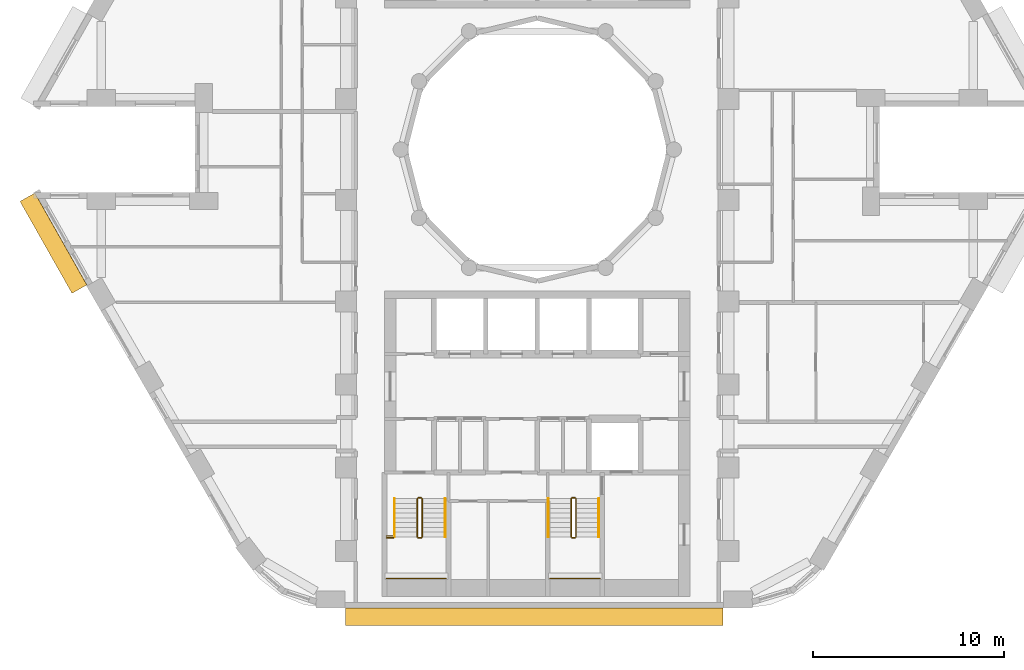
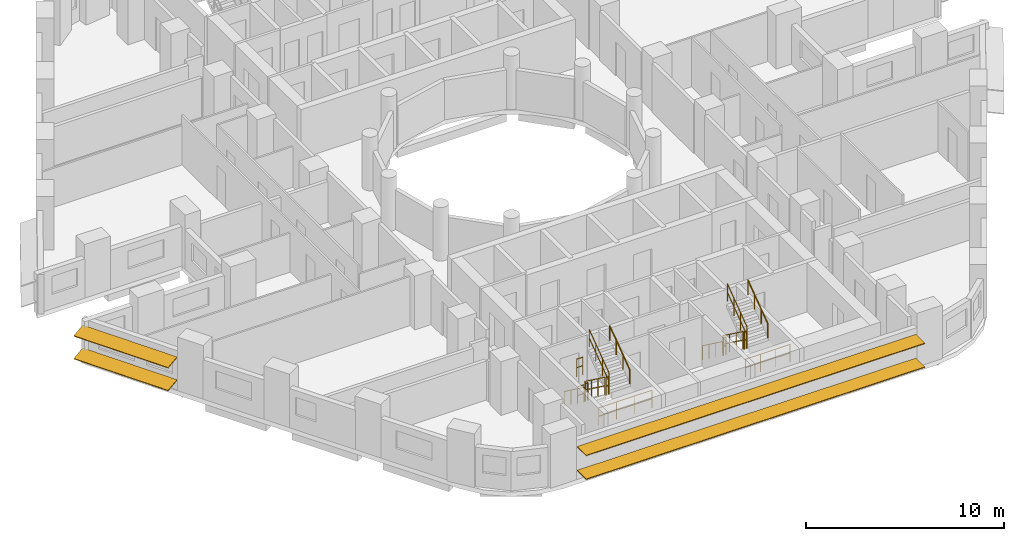
# One storey, part 10 of 12: 16 railings, 4 shading devices.
"""IFC4 building model written with IfcOpenShell, lengths in metres."""

import ifcopenshell
import ifcopenshell.guid

model = None  # the IFC model being written
_history = None  # IfcOwnerHistory: only IFC2X3 demands one
_inside = {}  # id of a spatial element -> (the spatial element, [elements in it])
_under = {}  # id of a project, library or spatial element -> (it, [spatial elements below it])
_declared = {}  # id of a project -> (the project, [libraries it declares])
_typed = {}  # id of a type object -> (the type object, [elements of that type])
_made_of = {}  # id of a material, layer set ... -> (it, [elements and type objects made of it])


def new_model(schema):
    """Start an empty IFC model of exactly this schema.

    Asked for "IFC4X3", IfcOpenShell would pick the latest addendum, in which some entities
    have other attributes; the version numbers below select the first issue.
    IFC2X3 requires an IfcOwnerHistory on every rooted entity: one is made here for all.
    """
    global model, _history
    if schema == "IFC4X3":
        model = ifcopenshell.file(schema_version=(4, 3, 0, 0))
    else:
        model = ifcopenshell.file(schema=schema)
    _inside.clear()
    _under.clear()
    _declared.clear()
    _typed.clear()
    _made_of.clear()
    _history = None
    if model.schema == "IFC2X3":
        org = make("IfcOrganization", Name="unknown")
        user = make(
            "IfcPersonAndOrganization",
            ThePerson=make("IfcPerson", FamilyName="unknown"),
            TheOrganization=org,
        )
        app = make(
            "IfcApplication",
            ApplicationDeveloper=org,
            Version="unknown",
            ApplicationFullName="unknown",
            ApplicationIdentifier="unknown",
        )
        _history = make(
            "IfcOwnerHistory",
            OwningUser=user,
            OwningApplication=app,
            ChangeAction="ADDED",
            CreationDate=0,
        )
    return model


def make(cls, **values):
    """One entity of the class cls with the attributes given. An attribute that is None is left unset."""
    return model.create_entity(
        cls, **{name: value for name, value in values.items() if value is not None}
    )


def rooted(cls, **values):
    """An entity with a GlobalId (a new one), such as an element, a storey or a relation."""
    return make(cls, GlobalId=ifcopenshell.guid.new(), OwnerHistory=_history, **values)


def si_unit(unit_type, name, prefix=None):
    """IfcSIUnit, for example si_unit("LENGTHUNIT", "METRE", prefix="MILLI")."""
    return make("IfcSIUnit", UnitType=unit_type, Prefix=prefix, Name=name)


def assignment(units):
    """IfcUnitAssignment: the units of a project."""
    return None if units is None else make("IfcUnitAssignment", Units=units)


def point(xyz):
    """IfcCartesianPoint."""
    return None if xyz is None else make("IfcCartesianPoint", Coordinates=xyz)


def direction(xyz):
    """IfcDirection."""
    return None if xyz is None else make("IfcDirection", DirectionRatios=xyz)


def frame(location, z_axis=None, x_axis=None):
    """IfcAxis2Placement3D, a coordinate frame: its origin and axes. An axis left out is left unset."""
    return make(
        "IfcAxis2Placement3D",
        Location=point(location),
        Axis=direction(z_axis),
        RefDirection=direction(x_axis),
    )


def frame_2d(location, x_axis=None):
    """IfcAxis2Placement2D, a coordinate frame in the plane: its origin and x axis."""
    return make(
        "IfcAxis2Placement2D", Location=point(location), RefDirection=direction(x_axis)
    )


def origin():
    """The frame at (0, 0, 0) with its axes left unset."""
    return frame((0.0, 0.0, 0.0))


def origin_2d():
    """The frame at (0, 0) in the plane with its x axis left unset."""
    return frame_2d((0.0, 0.0))


def place(relative_to, where):
    """IfcLocalPlacement: puts the frame where relative to a parent placement (None: the world)."""
    return make(
        "IfcLocalPlacement", PlacementRelTo=relative_to, RelativePlacement=where
    )


def context(
    kind, dimensions, precision=None, world=None, true_north=None, identifier=None
):
    """IfcGeometricRepresentationContext, for example the 3D "Model" context."""
    return make(
        "IfcGeometricRepresentationContext",
        ContextIdentifier=identifier,
        ContextType=kind,
        CoordinateSpaceDimension=dimensions,
        Precision=precision,
        WorldCoordinateSystem=world,
        TrueNorth=true_north,
    )


def subcontext(parent, identifier, kind, view, scale=None):
    """IfcGeometricRepresentationSubContext, for example "Body" below "Model"."""
    return make(
        "IfcGeometricRepresentationSubContext",
        ContextIdentifier=identifier,
        ContextType=kind,
        ParentContext=parent,
        TargetScale=scale,
        TargetView=view,
    )


def project(units=None, contexts=None):
    """IfcProject with its units and contexts."""
    return rooted(
        "IfcProject",
        Name="project",
        RepresentationContexts=contexts,
        UnitsInContext=assignment(units),
    )


def spatial(cls, under=None, at=None, **own):
    """A site, building, storey or space (cls), placed at a placement, below another one or the project."""
    s = rooted(cls, ObjectPlacement=at, **own)
    if under is not None:
        _under.setdefault(under.id(), (under, []))[1].append(s)
    return s


def profile(cls, at=None, kind="AREA", **sizes):
    """A parametric profile (cls). Its sizes go by their IFC names, for example OverallWidth=200.0."""
    return make(cls, ProfileType=kind, Position=at, **sizes)


def rectangle(**sizes):
    """IfcRectangleProfileDef."""
    return profile("IfcRectangleProfileDef", **sizes)


def circle(**sizes):
    """IfcCircleProfileDef."""
    return profile("IfcCircleProfileDef", **sizes)


def extrude(swept, where, along, depth):
    """IfcExtrudedAreaSolid: the profile swept, set in the frame where, extruded along a direction by depth."""
    return make(
        "IfcExtrudedAreaSolid",
        SweptArea=swept,
        Position=where,
        ExtrudedDirection=direction(along),
        Depth=depth,
    )


def shape(context_of_items, identifier, shape_type, items):
    """IfcShapeRepresentation: the items that make up one representation, for example the "Body"."""
    return make(
        "IfcShapeRepresentation",
        ContextOfItems=context_of_items,
        RepresentationIdentifier=identifier,
        RepresentationType=shape_type,
        Items=items,
    )


def material(Name=None, Category=None):
    """IfcMaterial."""
    return make("IfcMaterial", Name=Name, Category=Category)


def material_profile(
    of_material, cross_section, Name=None, Category=None, Priority=None
):
    """IfcMaterialProfile: a cross section and its material."""
    return make(
        "IfcMaterialProfile",
        Name=Name,
        Material=of_material,
        Profile=cross_section,
        Priority=Priority,
        Category=Category,
    )


def profile_set(profiles, Name=None, composite=None):
    """IfcMaterialProfileSet."""
    return make(
        "IfcMaterialProfileSet",
        Name=Name,
        MaterialProfiles=profiles,
        CompositeProfile=composite,
    )


def made_of(thing, what):
    """Note that an element or type object is made of a material, layer set ...; save() writes the relation."""
    if what is not None:
        _made_of.setdefault(what.id(), (what, []))[1].append(thing)
    return thing


def type_object(cls, material=None, **own):
    """A type object (cls), such as IfcWallType, which elements share."""
    return made_of(rooted(cls, **own), material)


def element(
    cls,
    number,
    at=None,
    inside=None,
    cuts=None,
    type_object=None,
    material=None,
    context=None,
    identifier="Body",
    shape_type=None,
    held_by="IfcProductDefinitionShape",
    body=None,
    shapes=None,
    **own,
):
    """One element of the class cls, such as IfcWall. Its Tag is "e" and its number.

    at: its placement. inside: the storey or other place that contains it. cuts: it is an
    opening in that element (IfcRelVoidsElement). A single representation is given by context,
    identifier, shape_type and body (its items); several are given by shapes. held_by: the class
    of the entity that holds the representations. save() writes the other relations.
    """
    e = rooted(cls, Tag="e%d" % number, ObjectPlacement=at, **own)
    if body is not None:
        shapes = [shape(context, identifier, shape_type, body)]
    if shapes is not None:
        e.Representation = make(held_by, Representations=shapes)
    if inside is not None:
        _inside.setdefault(inside.id(), (inside, []))[1].append(e)
    if cuts is not None:
        rooted(
            "IfcRelVoidsElement", RelatingBuildingElement=cuts, RelatedOpeningElement=e
        )
    if type_object is not None:
        _typed.setdefault(type_object.id(), (type_object, []))[1].append(e)
    return made_of(e, material)


def aggregate(whole, parts):
    """IfcRelAggregates: a whole, such as a stair, and the parts it consists of."""
    return rooted("IfcRelAggregates", RelatingObject=whole, RelatedObjects=parts)


def save(model, path):
    """Write the relations noted so far, then the file.

    IfcRelAggregates (storeys below a building ...), IfcRelContainedInSpatialStructure (elements
    in a storey), IfcRelDefinesByType, IfcRelAssociatesMaterial and IfcRelDeclares: one each for
    every whole, place, type object, material and project.
    """
    for whole, parts in _under.values():
        aggregate(whole, parts)
    for where, things in _inside.values():
        rooted(
            "IfcRelContainedInSpatialStructure",
            RelatedElements=things,
            RelatingStructure=where,
        )
    for kind, things in _typed.values():
        rooted("IfcRelDefinesByType", RelatedObjects=things, RelatingType=kind)
    for what, things in _made_of.values():
        rooted("IfcRelAssociatesMaterial", RelatedObjects=things, RelatingMaterial=what)
    for by, libraries in _declared.values():
        rooted("IfcRelDeclares", RelatingContext=by, RelatedDefinitions=libraries)
    model.write(path)


model = new_model("IFC4")

# Units and contexts
model_context = context("Model", 3, precision=1e-05, world=origin(), true_north=direction((0.0, 1.0)))
body_context = subcontext(model_context, "Body", "Model", "MODEL_VIEW")
ifc_project = project(units=[si_unit("LENGTHUNIT", "METRE"), si_unit("AREAUNIT", "SQUARE_METRE"), si_unit("VOLUMEUNIT", "CUBIC_METRE"), si_unit("PLANEANGLEUNIT", "RADIAN"), si_unit("MASSUNIT", "GRAM", prefix="KILO")], contexts=[model_context])

# Site, building, storey
site_placement = place(None, origin())
site = spatial("IfcSite", under=ifc_project, at=site_placement, CompositionType="ELEMENT")
building_placement = place(site_placement, origin())
building = spatial("IfcBuilding", under=site, at=building_placement, Name="Nakaniwa Court", CompositionType="ELEMENT")
storey_placement = place(building_placement, frame((0.0, 0.0, 54.60009765625)))
storey = spatial("IfcBuildingStorey", under=building, at=storey_placement, Name="L14", CompositionType="ELEMENT", Elevation=54.60009765625)

# Shading devices
ifc_material_1 = material(Name="Perforated charcoal ceramic louvre blade")
ifc_material_profile = material_profile(ifc_material_1, rectangle(XDim=0.89990234375, YDim=0.050048828125, at=origin_2d()), Name="Perforated ceramic louvre blade")
ifc_profile_set = profile_set([ifc_material_profile], Name="Perforated charcoal ceramic louvre blade")
shading_device_type = type_object("IfcShadingDeviceType", Name="Perforated ceramic louvre blade", PredefinedType="JALOUSIE", material=ifc_profile_set)
for number, where, z_axis, x_axis, name in (
    (1, (53.31689453125, 77.508056640625, 0.5498046875), (0.492342539441, -0.870401530247, 0.0), (0.86275552304, 0.488017576221, 0.132256390257), "L14 perforated ceramic louvre blade w20 1"),
    (2, (53.31689453125, 77.508056640625, 1.95556640625), (0.492342539441, -0.870401530247, 0.0), (0.86275552304, 0.488017576221, 0.132256390257), "L14 perforated ceramic louvre blade w20 2"),
):
    element("IfcShadingDevice", number, at=place(storey_placement, frame(where, z_axis=z_axis, x_axis=x_axis)), inside=storey, type_object=shading_device_type, Name=name, PredefinedType="JALOUSIE", context=body_context, shape_type="SweptSolid", body=[
        extrude(rectangle(XDim=0.89990234375, YDim=0.050048828125, at=origin_2d()), origin(), (0.0, 0.0, 1.0), 5.526611328125),
    ])
for number, where, z_axis, x_axis, name in (
    (3, (69.97119140625, 55.550048828125, 0.5498046875), (1.0, 0.0, 0.0), (0.0, 1.0, 0.0), "L14 perforated ceramic louvre blade w26 1"),
    (4, (69.97119140625, 55.550048828125, 2.014892578125), (1.0, 0.0, 0.0), (0.0, 1.0, 0.0), "L14 perforated ceramic louvre blade w26 2"),
):
    element("IfcShadingDevice", number, at=place(storey_placement, frame(where, z_axis=z_axis, x_axis=x_axis)), inside=storey, type_object=shading_device_type, Name=name, PredefinedType="JALOUSIE", context=body_context, shape_type="SweptSolid", body=[
        extrude(rectangle(XDim=0.89990234375, YDim=0.050048828125, at=origin_2d()), origin(), (0.0, 0.0, 1.0), 19.739990234375),
    ])

# Railings
ifc_material_2 = material(Name="Black powder coated steel guard", Category="steel")
railing_type_1 = type_object("IfcRailingType", Name="Stair guard 1100", PredefinedType="GUARDRAIL", material=ifc_material_2)
railing_1_placement = place(storey_placement, frame((73.72509765625, 61.72509765625, 0.183349609375)))
element("IfcRailing", 5, at=railing_1_placement, inside=storey, type_object=railing_type_1, Name="L14 ST3 stair guard 1", PredefinedType="GUARDRAIL", context=body_context, shape_type="SweptSolid", body=[
    extrude(circle(Radius=0.02392578125, at=origin_2d()), frame((0.0, 0.0, 1.076171875), z_axis=(0.0, -0.806426902644, 0.591333789573), x_axis=(1.0, 0.0, 0.0)), (0.0, 0.0, 1.0), 2.47998046875),
    extrude(circle(Radius=0.02392578125, at=origin_2d()), frame((0.0, 0.0, 0.550048828125), z_axis=(0.0, -0.806426902644, 0.591333789573), x_axis=(1.0, 0.0, 0.0)), (0.0, 0.0, 1.0), 2.47998046875),
    extrude(circle(Radius=0.02099609375, at=origin_2d()), origin(), (0.0, 0.0, 1.0), 1.052001953125),
    extrude(circle(Radius=0.02099609375, at=origin_2d()), frame((0.0, -0.666748046875, 0.48876953125)), (0.0, 0.0, 1.0), 1.052001953125),
    extrude(circle(Radius=0.02099609375, at=origin_2d()), frame((0.0, -1.333251953125, 0.977783203125)), (0.0, 0.0, 1.0), 1.052001953125),
    extrude(circle(Radius=0.02099609375, at=origin_2d()), frame((0.0, -2.0, 1.466552734375)), (0.0, 0.0, 1.0), 1.052001953125),
])
railing_2_placement = place(storey_placement, frame((73.77490234375, 59.675048828125, 1.64990234375)))
element("IfcRailing", 6, at=railing_2_placement, inside=storey, type_object=railing_type_1, Name="L14 ST3 stair guard 2", PredefinedType="GUARDRAIL", context=body_context, shape_type="SweptSolid", body=[
    extrude(circle(Radius=0.02392578125, at=origin_2d()), frame((0.0, 0.0, 1.076171875), z_axis=(1.0, 0.0, 0.0), x_axis=(0.0, 1.0, 0.0)), (0.0, 0.0, 1.0), 0.150146484375),
    extrude(circle(Radius=0.02392578125, at=origin_2d()), frame((0.0, 0.0, 0.550048828125), z_axis=(1.0, 0.0, 0.0), x_axis=(0.0, 1.0, 0.0)), (0.0, 0.0, 1.0), 0.150146484375),
    extrude(circle(Radius=0.02099609375, at=origin_2d()), origin(), (0.0, 0.0, 1.0), 1.052001953125),
    extrude(circle(Radius=0.02099609375, at=origin_2d()), frame((0.150146484375, 0.0, 0.0)), (0.0, 0.0, 1.0), 1.052001953125),
])
railing_3_placement = place(storey_placement, frame((73.97509765625, 59.72509765625, 1.833251953125)))
element("IfcRailing", 7, at=railing_3_placement, inside=storey, type_object=railing_type_1, Name="L14 ST3 stair guard 3", PredefinedType="GUARDRAIL", context=body_context, shape_type="SweptSolid", body=[
    extrude(circle(Radius=0.02392578125, at=origin_2d()), frame((0.0, 0.0, 1.076171875), z_axis=(0.0, 0.806426902644, 0.591333789573), x_axis=(-1.0, 0.0, 0.0)), (0.0, 0.0, 1.0), 2.47998046875),
    extrude(circle(Radius=0.02392578125, at=origin_2d()), frame((0.0, 0.0, 0.550048828125), z_axis=(0.0, 0.806426902644, 0.591333789573), x_axis=(-1.0, 0.0, 0.0)), (0.0, 0.0, 1.0), 2.47998046875),
    extrude(circle(Radius=0.02099609375, at=origin_2d()), origin(), (0.0, 0.0, 1.0), 1.052001953125),
    extrude(circle(Radius=0.02099609375, at=origin_2d()), frame((0.0, 0.666748046875, 0.48876953125)), (0.0, 0.0, 1.0), 1.052001953125),
    extrude(circle(Radius=0.02099609375, at=origin_2d()), frame((0.0, 1.333251953125, 0.977783203125)), (0.0, 0.0, 1.0), 1.052001953125),
    extrude(circle(Radius=0.02099609375, at=origin_2d()), frame((0.0, 2.0, 1.466552734375)), (0.0, 0.0, 1.0), 1.052001953125),
])
railing_4_placement = place(storey_placement, frame((73.77490234375, 61.77490234375, 0.0)))
element("IfcRailing", 8, at=railing_4_placement, inside=storey, type_object=railing_type_1, Name="L14 ST3 stair guard 4", PredefinedType="GUARDRAIL", context=body_context, shape_type="SweptSolid", body=[
    extrude(circle(Radius=0.02392578125, at=origin_2d()), frame((0.0, 0.0, 1.076171875), z_axis=(1.0, 0.0, 0.0), x_axis=(0.0, 1.0, 0.0)), (0.0, 0.0, 1.0), 0.150146484375),
    extrude(circle(Radius=0.02392578125, at=origin_2d()), frame((0.0, 0.0, 0.550048828125), z_axis=(1.0, 0.0, 0.0), x_axis=(0.0, 1.0, 0.0)), (0.0, 0.0, 1.0), 0.150146484375),
    extrude(circle(Radius=0.02099609375, at=origin_2d()), origin(), (0.0, 0.0, 1.0), 1.052001953125),
    extrude(circle(Radius=0.02099609375, at=origin_2d()), frame((0.150146484375, 0.0, 0.0)), (0.0, 0.0, 1.0), 1.052001953125),
])
railing_5_placement = place(storey_placement, frame((72.125, 57.550048828125, 1.64990234375)))
element("IfcRailing", 9, at=railing_5_placement, inside=storey, type_object=railing_type_1, Name="L14 ST3 landing end guard 1", PredefinedType="GUARDRAIL", context=body_context, shape_type="SweptSolid", body=[
    extrude(circle(Radius=0.02392578125, at=origin_2d()), frame((0.0, 0.0, 1.076171875), z_axis=(1.0, 0.0, 0.0), x_axis=(0.0, 1.0, 0.0)), (0.0, 0.0, 1.0), 3.10009765625),
    extrude(circle(Radius=0.02392578125, at=origin_2d()), frame((0.0, 0.0, 0.550048828125), z_axis=(1.0, 0.0, 0.0), x_axis=(0.0, 1.0, 0.0)), (0.0, 0.0, 1.0), 3.10009765625),
    extrude(circle(Radius=0.02099609375, at=origin_2d()), origin(), (0.0, 0.0, 1.0), 1.052001953125),
    extrude(circle(Radius=0.02099609375, at=origin_2d()), frame((1.033447265625, 0.0, 0.0)), (0.0, 0.0, 1.0), 1.052001953125),
    extrude(circle(Radius=0.02099609375, at=origin_2d()), frame((2.066650390625, 0.0, 0.0)), (0.0, 0.0, 1.0), 1.052001953125),
    extrude(circle(Radius=0.02099609375, at=origin_2d()), frame((3.10009765625, 0.0, 0.0)), (0.0, 0.0, 1.0), 1.052001953125),
])
for number, where, name in (
    (10, (72.125, 59.675048828125, 1.64990234375), "L14 ST3 landing side guard 1W"),
    (11, (72.125, 59.77490234375, 3.2998046875), "L14 ST3 floor edge guard 1W"),
):
    element("IfcRailing", number, at=place(storey_placement, frame(where)), inside=storey, type_object=railing_type_1, Name=name, PredefinedType="GUARDRAIL", context=body_context, shape_type="SweptSolid", body=[
        extrude(circle(Radius=0.02392578125, at=origin_2d()), frame((0.0, 0.0, 1.076171875), z_axis=(1.0, 0.0, 0.0), x_axis=(0.0, 1.0, 0.0)), (0.0, 0.0, 1.0), 0.35009765625),
        extrude(circle(Radius=0.02392578125, at=origin_2d()), frame((0.0, 0.0, 0.550048828125), z_axis=(1.0, 0.0, 0.0), x_axis=(0.0, 1.0, 0.0)), (0.0, 0.0, 1.0), 0.35009765625),
        extrude(circle(Radius=0.02099609375, at=origin_2d()), origin(), (0.0, 0.0, 1.0), 1.052001953125),
        extrude(circle(Radius=0.02099609375, at=origin_2d()), frame((0.35009765625, 0.0, 0.0)), (0.0, 0.0, 1.0), 1.052001953125),
    ])
railing_6_placement = place(storey_placement, frame((81.77490234375, 61.72509765625, 0.183349609375)))
element("IfcRailing", 12, at=railing_6_placement, inside=storey, type_object=railing_type_1, Name="L14 ST4 stair guard 1", PredefinedType="GUARDRAIL", context=body_context, shape_type="SweptSolid", body=[
    extrude(circle(Radius=0.02392578125, at=origin_2d()), frame((0.0, 0.0, 1.076171875), z_axis=(0.0, -0.806426902644, 0.591333789573), x_axis=(1.0, 0.0, 0.0)), (0.0, 0.0, 1.0), 2.47998046875),
    extrude(circle(Radius=0.02392578125, at=origin_2d()), frame((0.0, 0.0, 0.550048828125), z_axis=(0.0, -0.806426902644, 0.591333789573), x_axis=(1.0, 0.0, 0.0)), (0.0, 0.0, 1.0), 2.47998046875),
    extrude(circle(Radius=0.02099609375, at=origin_2d()), origin(), (0.0, 0.0, 1.0), 1.052001953125),
    extrude(circle(Radius=0.02099609375, at=origin_2d()), frame((0.0, -0.666748046875, 0.48876953125)), (0.0, 0.0, 1.0), 1.052001953125),
    extrude(circle(Radius=0.02099609375, at=origin_2d()), frame((0.0, -1.333251953125, 0.977783203125)), (0.0, 0.0, 1.0), 1.052001953125),
    extrude(circle(Radius=0.02099609375, at=origin_2d()), frame((0.0, -2.0, 1.466552734375)), (0.0, 0.0, 1.0), 1.052001953125),
])
railing_7_placement = place(storey_placement, frame((81.824951171875, 59.675048828125, 1.64990234375)))
element("IfcRailing", 13, at=railing_7_placement, inside=storey, type_object=railing_type_1, Name="L14 ST4 stair guard 2", PredefinedType="GUARDRAIL", context=body_context, shape_type="SweptSolid", body=[
    extrude(circle(Radius=0.02392578125, at=origin_2d()), frame((0.0, 0.0, 1.076171875), z_axis=(1.0, 0.0, 0.0), x_axis=(0.0, 1.0, 0.0)), (0.0, 0.0, 1.0), 0.150146484375),
    extrude(circle(Radius=0.02392578125, at=origin_2d()), frame((0.0, 0.0, 0.550048828125), z_axis=(1.0, 0.0, 0.0), x_axis=(0.0, 1.0, 0.0)), (0.0, 0.0, 1.0), 0.150146484375),
    extrude(circle(Radius=0.02099609375, at=origin_2d()), origin(), (0.0, 0.0, 1.0), 1.052001953125),
    extrude(circle(Radius=0.02099609375, at=origin_2d()), frame((0.150146484375, 0.0, 0.0)), (0.0, 0.0, 1.0), 1.052001953125),
])
railing_8_placement = place(storey_placement, frame((82.02490234375, 59.72509765625, 1.833251953125)))
element("IfcRailing", 14, at=railing_8_placement, inside=storey, type_object=railing_type_1, Name="L14 ST4 stair guard 3", PredefinedType="GUARDRAIL", context=body_context, shape_type="SweptSolid", body=[
    extrude(circle(Radius=0.02392578125, at=origin_2d()), frame((0.0, 0.0, 1.076171875), z_axis=(0.0, 0.806426902644, 0.591333789573), x_axis=(-1.0, 0.0, 0.0)), (0.0, 0.0, 1.0), 2.47998046875),
    extrude(circle(Radius=0.02392578125, at=origin_2d()), frame((0.0, 0.0, 0.550048828125), z_axis=(0.0, 0.806426902644, 0.591333789573), x_axis=(-1.0, 0.0, 0.0)), (0.0, 0.0, 1.0), 2.47998046875),
    extrude(circle(Radius=0.02099609375, at=origin_2d()), origin(), (0.0, 0.0, 1.0), 1.052001953125),
    extrude(circle(Radius=0.02099609375, at=origin_2d()), frame((0.0, 0.666748046875, 0.48876953125)), (0.0, 0.0, 1.0), 1.052001953125),
    extrude(circle(Radius=0.02099609375, at=origin_2d()), frame((0.0, 1.333251953125, 0.977783203125)), (0.0, 0.0, 1.0), 1.052001953125),
    extrude(circle(Radius=0.02099609375, at=origin_2d()), frame((0.0, 2.0, 1.466552734375)), (0.0, 0.0, 1.0), 1.052001953125),
])
railing_9_placement = place(storey_placement, frame((81.824951171875, 61.77490234375, 0.0)))
element("IfcRailing", 15, at=railing_9_placement, inside=storey, type_object=railing_type_1, Name="L14 ST4 stair guard 4", PredefinedType="GUARDRAIL", context=body_context, shape_type="SweptSolid", body=[
    extrude(circle(Radius=0.02392578125, at=origin_2d()), frame((0.0, 0.0, 1.076171875), z_axis=(1.0, 0.0, 0.0), x_axis=(0.0, 1.0, 0.0)), (0.0, 0.0, 1.0), 0.150146484375),
    extrude(circle(Radius=0.02392578125, at=origin_2d()), frame((0.0, 0.0, 0.550048828125), z_axis=(1.0, 0.0, 0.0), x_axis=(0.0, 1.0, 0.0)), (0.0, 0.0, 1.0), 0.150146484375),
    extrude(circle(Radius=0.02099609375, at=origin_2d()), origin(), (0.0, 0.0, 1.0), 1.052001953125),
    extrude(circle(Radius=0.02099609375, at=origin_2d()), frame((0.150146484375, 0.0, 0.0)), (0.0, 0.0, 1.0), 1.052001953125),
])
railing_10_placement = place(storey_placement, frame((80.675048828125, 57.550048828125, 1.64990234375)))
element("IfcRailing", 16, at=railing_10_placement, inside=storey, type_object=railing_type_1, Name="L14 ST4 landing end guard 1", PredefinedType="GUARDRAIL", context=body_context, shape_type="SweptSolid", body=[
    extrude(circle(Radius=0.02392578125, at=origin_2d()), frame((0.0, 0.0, 1.076171875), z_axis=(1.0, 0.0, 0.0), x_axis=(0.0, 1.0, 0.0)), (0.0, 0.0, 1.0), 2.599853515625),
    extrude(circle(Radius=0.02392578125, at=origin_2d()), frame((0.0, 0.0, 0.550048828125), z_axis=(1.0, 0.0, 0.0), x_axis=(0.0, 1.0, 0.0)), (0.0, 0.0, 1.0), 2.599853515625),
    extrude(circle(Radius=0.02099609375, at=origin_2d()), origin(), (0.0, 0.0, 1.0), 1.052001953125),
    extrude(circle(Radius=0.02099609375, at=origin_2d()), frame((0.86669921875, 0.0, 0.0)), (0.0, 0.0, 1.0), 1.052001953125),
    extrude(circle(Radius=0.02099609375, at=origin_2d()), frame((1.733154296875, 0.0, 0.0)), (0.0, 0.0, 1.0), 1.052001953125),
    extrude(circle(Radius=0.02099609375, at=origin_2d()), frame((2.599853515625, 0.0, 0.0)), (0.0, 0.0, 1.0), 1.052001953125),
])
ifc_material_3 = material(Name="Black powder coated steel handrail", Category="steel")
railing_type_2 = type_object("IfcRailingType", Name="Stair handrail 900", PredefinedType="HANDRAIL", material=ifc_material_3)
railing_11_placement = place(storey_placement, frame((72.52490234375, 61.72509765625, 0.183349609375)))
element("IfcRailing", 17, at=railing_11_placement, inside=storey, type_object=railing_type_2, Name="L14 ST3 stair handrail 1", PredefinedType="HANDRAIL", context=body_context, shape_type="SweptSolid", body=[
    extrude(circle(Radius=0.02392578125, at=origin_2d()), frame((0.0, 0.0, 0.8759765625), z_axis=(0.0, -0.806426902644, 0.591333789573), x_axis=(1.0, 0.0, 0.0)), (0.0, 0.0, 1.0), 2.47998046875),
    extrude(circle(Radius=0.02099609375, at=origin_2d()), origin(), (0.0, 0.0, 1.0), 0.851806640625),
    extrude(circle(Radius=0.02099609375, at=origin_2d()), frame((0.0, -0.666748046875, 0.48876953125)), (0.0, 0.0, 1.0), 0.851806640625),
    extrude(circle(Radius=0.02099609375, at=origin_2d()), frame((0.0, -1.333251953125, 0.977783203125)), (0.0, 0.0, 1.0), 0.851806640625),
    extrude(circle(Radius=0.02099609375, at=origin_2d()), frame((0.0, -2.0, 1.466552734375)), (0.0, 0.0, 1.0), 0.851806640625),
])
railing_12_placement = place(storey_placement, frame((75.175048828125, 59.72509765625, 1.833251953125)))
element("IfcRailing", 18, at=railing_12_placement, inside=storey, type_object=railing_type_2, Name="L14 ST3 stair handrail 2", PredefinedType="HANDRAIL", context=body_context, shape_type="SweptSolid", body=[
    extrude(circle(Radius=0.02392578125, at=origin_2d()), frame((0.0, 0.0, 0.8759765625), z_axis=(0.0, 0.806426902644, 0.591333789573), x_axis=(-1.0, 0.0, 0.0)), (0.0, 0.0, 1.0), 2.47998046875),
    extrude(circle(Radius=0.02099609375, at=origin_2d()), origin(), (0.0, 0.0, 1.0), 0.851806640625),
    extrude(circle(Radius=0.02099609375, at=origin_2d()), frame((0.0, 0.666748046875, 0.48876953125)), (0.0, 0.0, 1.0), 0.851806640625),
    extrude(circle(Radius=0.02099609375, at=origin_2d()), frame((0.0, 1.333251953125, 0.977783203125)), (0.0, 0.0, 1.0), 0.851806640625),
    extrude(circle(Radius=0.02099609375, at=origin_2d()), frame((0.0, 2.0, 1.466552734375)), (0.0, 0.0, 1.0), 0.851806640625),
])
railing_13_placement = place(storey_placement, frame((80.574951171875, 61.72509765625, 0.183349609375)))
element("IfcRailing", 19, at=railing_13_placement, inside=storey, type_object=railing_type_2, Name="L14 ST4 stair handrail 1", PredefinedType="HANDRAIL", context=body_context, shape_type="SweptSolid", body=[
    extrude(circle(Radius=0.02392578125, at=origin_2d()), frame((0.0, 0.0, 0.8759765625), z_axis=(0.0, -0.806426902644, 0.591333789573), x_axis=(1.0, 0.0, 0.0)), (0.0, 0.0, 1.0), 2.47998046875),
    extrude(circle(Radius=0.02099609375, at=origin_2d()), origin(), (0.0, 0.0, 1.0), 0.851806640625),
    extrude(circle(Radius=0.02099609375, at=origin_2d()), frame((0.0, -0.666748046875, 0.48876953125)), (0.0, 0.0, 1.0), 0.851806640625),
    extrude(circle(Radius=0.02099609375, at=origin_2d()), frame((0.0, -1.333251953125, 0.977783203125)), (0.0, 0.0, 1.0), 0.851806640625),
    extrude(circle(Radius=0.02099609375, at=origin_2d()), frame((0.0, -2.0, 1.466552734375)), (0.0, 0.0, 1.0), 0.851806640625),
])
railing_14_placement = place(storey_placement, frame((83.22509765625, 59.72509765625, 1.833251953125)))
element("IfcRailing", 20, at=railing_14_placement, inside=storey, type_object=railing_type_2, Name="L14 ST4 stair handrail 2", PredefinedType="HANDRAIL", context=body_context, shape_type="SweptSolid", body=[
    extrude(circle(Radius=0.02392578125, at=origin_2d()), frame((0.0, 0.0, 0.8759765625), z_axis=(0.0, 0.806426902644, 0.591333789573), x_axis=(-1.0, 0.0, 0.0)), (0.0, 0.0, 1.0), 2.47998046875),
    extrude(circle(Radius=0.02099609375, at=origin_2d()), origin(), (0.0, 0.0, 1.0), 0.851806640625),
    extrude(circle(Radius=0.02099609375, at=origin_2d()), frame((0.0, 0.666748046875, 0.48876953125)), (0.0, 0.0, 1.0), 0.851806640625),
    extrude(circle(Radius=0.02099609375, at=origin_2d()), frame((0.0, 1.333251953125, 0.977783203125)), (0.0, 0.0, 1.0), 0.851806640625),
    extrude(circle(Radius=0.02099609375, at=origin_2d()), frame((0.0, 2.0, 1.466552734375)), (0.0, 0.0, 1.0), 0.851806640625),
])

save(model, "model.ifc")
